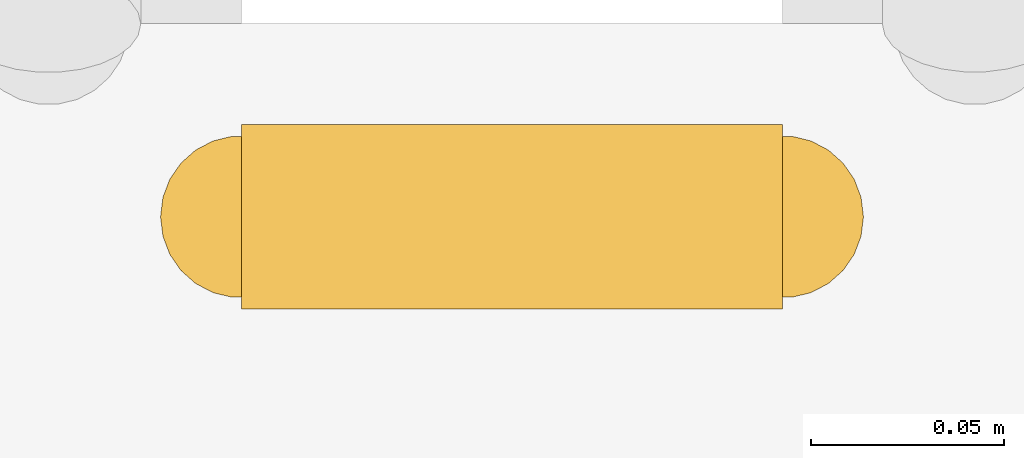
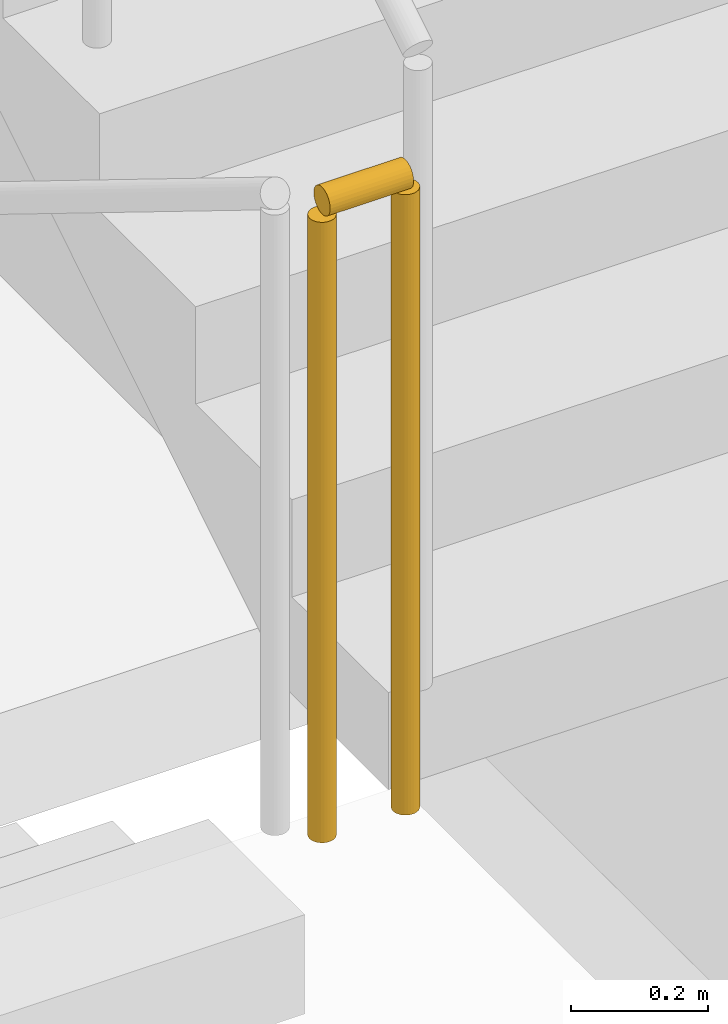
# One storey, part 14 of 17: 1 railing.
"""IFC4 building model written with IfcOpenShell, lengths in metres."""

from ifc_helpers import new_model, si_unit, direction, frame, origin, origin_2d, place, context, subcontext, project, spatial, circle, extrude, material, type_object, element, save


model = new_model("IFC4")

# Units and contexts
model_context = context("Model", 3, precision=1e-05, world=origin(), true_north=direction((0.0, 1.0)))
body_context = subcontext(model_context, "Body", "Model", "MODEL_VIEW")
ifc_project = project(units=[si_unit("LENGTHUNIT", "METRE"), si_unit("AREAUNIT", "SQUARE_METRE"), si_unit("VOLUMEUNIT", "CUBIC_METRE"), si_unit("PLANEANGLEUNIT", "RADIAN"), si_unit("MASSUNIT", "GRAM", prefix="KILO")], contexts=[model_context])

# Site, building, storey
site_placement = place(None, origin())
site = spatial("IfcSite", under=ifc_project, at=site_placement, CompositionType="ELEMENT")
building_placement = place(site_placement, origin())
building = spatial("IfcBuilding", under=site, at=building_placement, Name="Haolan Belvedere Tower", CompositionType="ELEMENT")
storey_placement = place(building_placement, frame((0.0, 0.0, 31.60009765625)))
storey = spatial("IfcBuildingStorey", under=building, at=storey_placement, Name="L07", CompositionType="ELEMENT", Elevation=31.60009765625)

# Railing
ifc_material = material(Name="Brushed stainless steel 304", Category="steel")
railing_type = type_object("IfcRailingType", Name="RL-STAIR-GRD-1150", PredefinedType="GUARDRAIL", material=ifc_material)
railing_placement = place(storey_placement, frame((31.969970703125, 38.3798828125, 1.89990234375)))
element("IfcRailing", 1, at=railing_placement, inside=storey, type_object=railing_type, Name="L07 ST1 stair guard 2", PredefinedType="GUARDRAIL", context=body_context, shape_type="SweptSolid", body=[
    extrude(circle(Radius=0.02392578125, at=origin_2d()), frame((0.0, 0.0, 1.1259765625), z_axis=(1.0, 0.0, 0.0), x_axis=(0.0, 1.0, 0.0)), (0.0, 0.0, 1.0), 0.14013671875),
    extrude(circle(Radius=0.02099609375, at=origin_2d()), origin(), (0.0, 0.0, 1.0), 1.101806640625),
    extrude(circle(Radius=0.02099609375, at=origin_2d()), frame((0.14013671875, 0.0, 0.0)), (0.0, 0.0, 1.0), 1.101806640625),
])

save(model, "model.ifc")
